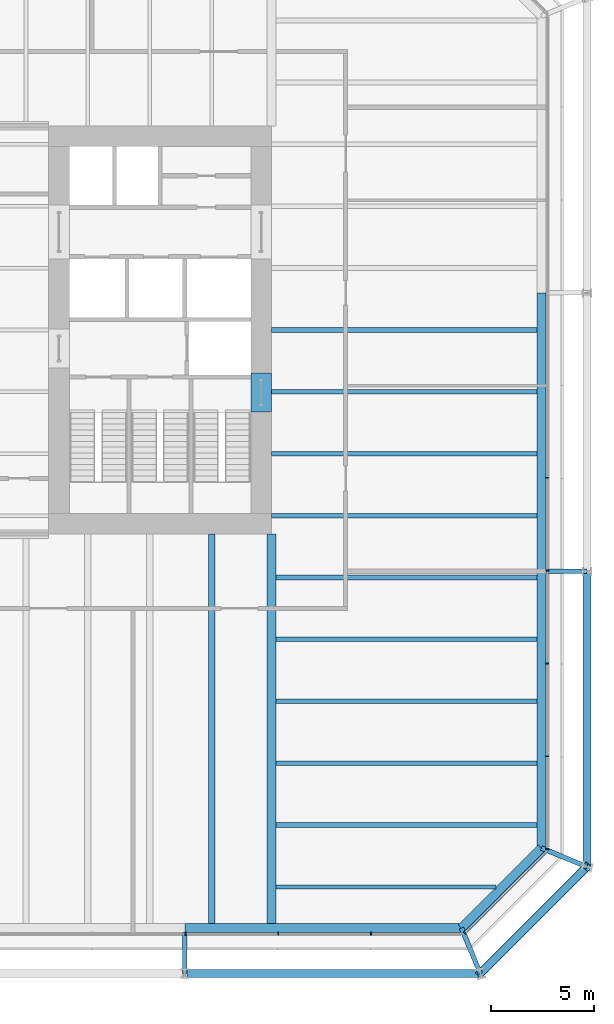
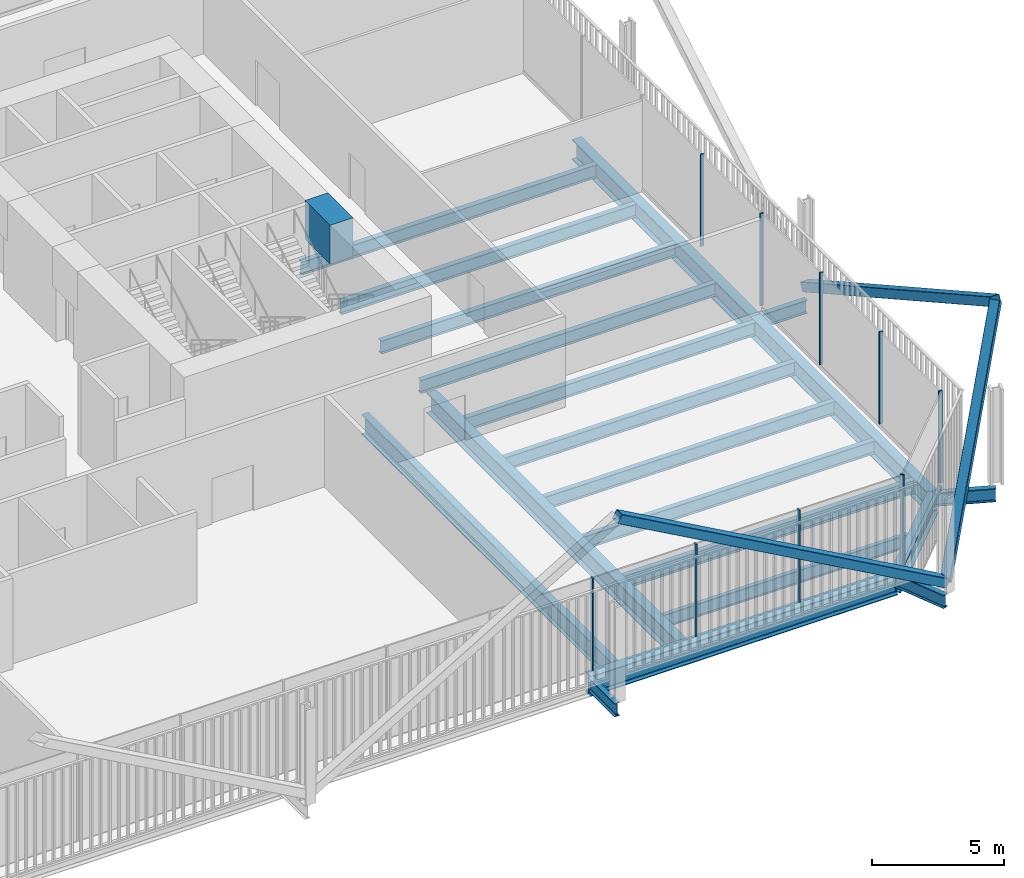
# One storey, part 8 of 21: 21 beams, 13 members, 3 elements without a shape of their own.
"""IFC4 building model written with IfcOpenShell, lengths in metres."""

from ifc_helpers import new_model, si_unit, direction, frame, origin, origin_2d, place, context, subcontext, project, spatial, rectangle, hollow_rectangle, i_section, extrude, material, layer, layer_set, material_profile, profile_set, type_object, element, aggregate, save


model = new_model("IFC4")

# Units and contexts
model_context = context("Model", 3, precision=1e-05, world=origin(), true_north=direction((0.0, 1.0)))
body_context = subcontext(model_context, "Body", "Model", "MODEL_VIEW")
ifc_project = project(units=[si_unit("LENGTHUNIT", "METRE"), si_unit("AREAUNIT", "SQUARE_METRE"), si_unit("VOLUMEUNIT", "CUBIC_METRE"), si_unit("PLANEANGLEUNIT", "RADIAN"), si_unit("MASSUNIT", "GRAM", prefix="KILO")], contexts=[model_context])

# Site, building, storey
site_placement = place(None, origin())
site = spatial("IfcSite", under=ifc_project, at=site_placement, CompositionType="ELEMENT")
building_placement = place(site_placement, origin())
building = spatial("IfcBuilding", under=site, at=building_placement, Name="Millrace Tower", CompositionType="ELEMENT")
storey_placement = place(building_placement, frame((0.0, 0.0, 95.199951171875)))
storey = spatial("IfcBuildingStorey", under=building, at=storey_placement, Name="L21", CompositionType="ELEMENT", Elevation=95.199951171875)

# Curtain wall, members
ifc_material_1 = material(Name="Aluminium and glass", Category="aluminium")
ifc_layer = layer(ifc_material_1, 0.14990234375)
ifc_layer_set = layer_set([ifc_layer], Name="Aluminium and glass")
curtain_wall_type = type_object("IfcCurtainWallType", Name="CW-3 telecom floor curtain wall", PredefinedType="NOTDEFINED", material=ifc_layer_set)
placement = place(storey_placement, origin())
curtain_wall_1 = element("IfcCurtainWall", 1, at=placement, inside=storey, type_object=curtain_wall_type, Name="Curtain wall B-F02 L21", PredefinedType="NOTDEFINED")
ifc_material_2 = material(Name="Aluminium", Category="aluminium")
ifc_material_profile_1 = material_profile(ifc_material_2, rectangle(XDim=0.06494140625, YDim=0.14990234375, at=origin_2d()))
ifc_profile_set_1 = profile_set([ifc_material_profile_1], Name="Aluminium")
member_type_1 = type_object("IfcMemberType", Name="CW-3 telecom floor curtain wall mullion", PredefinedType="MULLION", material=ifc_profile_set_1)
member_1_placement = place(storey_placement, frame((10.732421875, -29.27490234375, 0.150146484375), z_axis=(0.0, 0.0, 1.0), x_axis=(1.0, 0.0, 0.0)))
member_1 = element("IfcMember", 2, at=member_1_placement, type_object=member_type_1, Name="CW3 mullion B-F02.7", PredefinedType="MULLION", context=body_context, shape_type="SweptSolid", body=[
    extrude(rectangle(XDim=0.06494140625, YDim=0.14990234375, at=origin_2d()), origin(), (0.0, 0.0, 1.0), 4.25),
])
member_2_placement = place(storey_placement, frame((15.232421875, -29.27490234375, 0.150146484375), z_axis=(0.0, 0.0, 1.0), x_axis=(1.0, 0.0, 0.0)))
member_2 = element("IfcMember", 3, at=member_2_placement, type_object=member_type_1, Name="CW3 mullion B-F02.8", PredefinedType="MULLION", context=body_context, shape_type="SweptSolid", body=[
    extrude(rectangle(XDim=0.06494140625, YDim=0.14990234375, at=origin_2d()), origin(), (0.0, 0.0, 1.0), 4.25),
])
member_3_placement = place(storey_placement, frame((19.732421875, -29.27490234375, 0.150146484375), z_axis=(0.0, 0.0, 1.0), x_axis=(1.0, 0.0, 0.0)))
member_3 = element("IfcMember", 4, at=member_3_placement, type_object=member_type_1, Name="CW3 mullion B-F02.9", PredefinedType="MULLION", context=body_context, shape_type="SweptSolid", body=[
    extrude(rectangle(XDim=0.06494140625, YDim=0.14990234375, at=origin_2d()), origin(), (0.0, 0.0, 1.0), 4.25),
])
aggregate(curtain_wall_1, [member_1, member_2, member_3])

# Curtain wall, member
curtain_wall_2 = element("IfcCurtainWall", 5, at=placement, inside=storey, type_object=curtain_wall_type, Name="Curtain wall B-F03 L21", PredefinedType="NOTDEFINED")
member_4_placement = place(storey_placement, frame((24.276123046875, -29.22998046875, 0.150146484375), z_axis=(0.0, 0.0, 1.0), x_axis=(0.707106781187, 0.707106781187, 0.0)))
member_4 = element("IfcMember", 6, at=member_4_placement, type_object=member_type_1, Name="CW3 mullion B-F03.1", PredefinedType="MULLION", context=body_context, shape_type="SweptSolid", body=[
    extrude(rectangle(XDim=0.06494140625, YDim=0.14990234375, at=origin_2d()), origin(), (0.0, 0.0, 1.0), 4.25),
])

# Curtain wall, members
curtain_wall_3 = element("IfcCurtainWall", 7, at=placement, inside=storey, type_object=curtain_wall_type, Name="Curtain wall B-F04 L21", PredefinedType="NOTDEFINED")
member_5_placement = place(storey_placement, frame((28.27490234375, -25.16748046875, 0.150146484375), z_axis=(0.0, 0.0, 1.0), x_axis=(0.0, 1.0, 0.0)))
member_5 = element("IfcMember", 8, at=member_5_placement, type_object=member_type_1, Name="CW3 mullion B-F04.1", PredefinedType="MULLION", context=body_context, shape_type="SweptSolid", body=[
    extrude(rectangle(XDim=0.06494140625, YDim=0.14990234375, at=origin_2d()), origin(), (0.0, 0.0, 1.0), 4.25),
])
member_6_placement = place(storey_placement, frame((28.27490234375, -20.66748046875, 0.150146484375), z_axis=(0.0, 0.0, 1.0), x_axis=(0.0, 1.0, 0.0)))
member_6 = element("IfcMember", 9, at=member_6_placement, type_object=member_type_1, Name="CW3 mullion B-F04.2", PredefinedType="MULLION", context=body_context, shape_type="SweptSolid", body=[
    extrude(rectangle(XDim=0.06494140625, YDim=0.14990234375, at=origin_2d()), origin(), (0.0, 0.0, 1.0), 4.25),
])
member_7_placement = place(storey_placement, frame((28.27490234375, -16.16748046875, 0.150146484375), z_axis=(0.0, 0.0, 1.0), x_axis=(0.0, 1.0, 0.0)))
member_7 = element("IfcMember", 10, at=member_7_placement, type_object=member_type_1, Name="CW3 mullion B-F04.3", PredefinedType="MULLION", context=body_context, shape_type="SweptSolid", body=[
    extrude(rectangle(XDim=0.06494140625, YDim=0.14990234375, at=origin_2d()), origin(), (0.0, 0.0, 1.0), 4.25),
])
member_8_placement = place(storey_placement, frame((28.27490234375, -11.66748046875, 0.150146484375), z_axis=(0.0, 0.0, 1.0), x_axis=(0.0, 1.0, 0.0)))
member_8 = element("IfcMember", 11, at=member_8_placement, type_object=member_type_1, Name="CW3 mullion B-F04.4", PredefinedType="MULLION", context=body_context, shape_type="SweptSolid", body=[
    extrude(rectangle(XDim=0.06494140625, YDim=0.14990234375, at=origin_2d()), origin(), (0.0, 0.0, 1.0), 4.25),
])
member_9_placement = place(storey_placement, frame((28.27490234375, -7.16748046875, 0.150146484375), z_axis=(0.0, 0.0, 1.0), x_axis=(0.0, 1.0, 0.0)))
member_9 = element("IfcMember", 12, at=member_9_placement, type_object=member_type_1, Name="CW3 mullion B-F04.5", PredefinedType="MULLION", context=body_context, shape_type="SweptSolid", body=[
    extrude(rectangle(XDim=0.06494140625, YDim=0.14990234375, at=origin_2d()), origin(), (0.0, 0.0, 1.0), 4.25),
])
aggregate(curtain_wall_3, [member_5, member_6, member_7, member_8, member_9])

# Member
ifc_material_3 = material(Name="Aluminium", Category="aluminium")
ifc_material_profile_2 = material_profile(ifc_material_3, rectangle(XDim=0.14990234375, YDim=0.14990234375, at=origin_2d()))
ifc_profile_set_2 = profile_set([ifc_material_profile_2], Name="Aluminium")
member_type_2 = type_object("IfcMemberType", Name="CW-3 telecom floor curtain wall transom", PredefinedType="USERDEFINED", material=ifc_profile_set_2)
member_10_placement = place(storey_placement, frame((24.32373046875, -29.182373046875, 0.074951171875), z_axis=(0.707106781187, 0.707106781187, 0.0), x_axis=(-0.707106781187, 0.707106781187, 0.0)))
member_10 = element("IfcMember", 13, at=member_10_placement, type_object=member_type_2, Name="CW3 transom B-F03.1", ObjectType="TRANSOM", PredefinedType="USERDEFINED", context=body_context, shape_type="SweptSolid", body=[
    extrude(rectangle(XDim=0.14990234375, YDim=0.14990234375, at=origin_2d()), origin(), (0.0, 0.0, 1.0), 5.45703125),
])

aggregate(curtain_wall_2, [member_4, member_10])

# Beam
ifc_material_4 = material(Name="Concrete C80", Category="concrete")
ifc_material_profile_3 = material_profile(ifc_material_4, rectangle(XDim=1.0, YDim=1.800048828125, at=origin_2d()))
ifc_profile_set_3 = profile_set([ifc_material_profile_3], Name="Concrete C80")
beam_type_1 = type_object("IfcBeamType", Name="Coupling beam 1000 x 1800 Concrete C80, 1300 opening", PredefinedType="BEAM", material=ifc_profile_set_3)
beam_1_placement = place(storey_placement, frame((14.39990234375, -2.080078125, 3.300048828125), z_axis=(0.0, -1.0, 0.0), x_axis=(1.0, 0.0, 0.0)))
element("IfcBeam", 14, at=beam_1_placement, inside=storey, type_object=beam_type_1, Name="Coupling beam E L21", PredefinedType="BEAM", context=body_context, shape_type="SweptSolid", body=[
    extrude(rectangle(XDim=1.0, YDim=1.800048828125, at=origin_2d()), origin(), (0.0, 0.0, 1.0), 1.89990234375),
])

# Members
ifc_material_5 = material(Name="Steel ASTM A500 Grade C", Category="steel")
ifc_material_profile_4 = material_profile(ifc_material_5, hollow_rectangle(XDim=0.406494140625, YDim=0.406494140625, WallThickness=0.0126953125, InnerFilletRadius=0.00634765625, OuterFilletRadius=0.01904296875, at=origin_2d()))
ifc_profile_set_4 = profile_set([ifc_material_profile_4], Name="Steel ASTM A500 Grade C")
member_type_3 = type_object("IfcMemberType", Name="Exoskeleton brace HSS16x16x1/2", PredefinedType="BRACE", material=ifc_profile_set_4)
member_11_placement = place(storey_placement, frame((25.0283203125, -31.199951171875, 0.400146484375), z_axis=(-0.873125840427, 0.0, 0.487494888976), x_axis=(0.0, -1.0, 0.0)))
element("IfcMember", 15, at=member_11_placement, inside=storey, type_object=member_type_3, Name="BRC-B-L21-04", PredefinedType="BRACE", context=body_context, shape_type="SweptSolid", body=[
    extrude(hollow_rectangle(XDim=0.406494140625, YDim=0.406494140625, WallThickness=0.0126953125, InnerFilletRadius=0.00634765625, OuterFilletRadius=0.01904296875, at=origin_2d()), origin(), (0.0, 0.0, 1.0), 16.410400390625),
])
member_12_placement = place(storey_placement, frame((25.0283203125, -31.199951171875, 0.400146484375), z_axis=(0.477116280189, 0.477116280189, 0.738051563482), x_axis=(-0.707106781187, 0.707106781187, 0.0)))
element("IfcMember", 16, at=member_12_placement, inside=storey, type_object=member_type_3, Name="BRC-B-L21-05", PredefinedType="BRACE", context=body_context, shape_type="SweptSolid", body=[
    extrude(hollow_rectangle(XDim=0.406494140625, YDim=0.406494140625, WallThickness=0.0126953125, InnerFilletRadius=0.00634765625, OuterFilletRadius=0.01904296875, at=origin_2d()), origin(), (0.0, 0.0, 1.0), 10.83935546875),
])
member_13_placement = place(storey_placement, frame((30.199951171875, -11.699951171875, 0.400146484375), z_axis=(0.0, -0.873125840427, 0.487494888976), x_axis=(1.0, 0.0, 0.0)))
element("IfcMember", 17, at=member_13_placement, inside=storey, type_object=member_type_3, Name="BRC-B-L21-06", PredefinedType="BRACE", context=body_context, shape_type="SweptSolid", body=[
    extrude(hollow_rectangle(XDim=0.406494140625, YDim=0.406494140625, WallThickness=0.0126953125, InnerFilletRadius=0.00634765625, OuterFilletRadius=0.01904296875, at=origin_2d()), origin(), (0.0, 0.0, 1.0), 16.410400390625),
])

# Beams
ifc_material_6 = material(Name="Steel ASTM A992 Grade 50", Category="steel")
ifc_material_profile_5 = material_profile(ifc_material_6, i_section(OverallWidth=0.1787109375, OverallDepth=0.60205078125, WebThickness=0.010986328125, FlangeThickness=0.014892578125, FilletRadius=0.0126953125, at=origin_2d()))
ifc_profile_set_5 = profile_set([ifc_material_profile_5], Name="Steel ASTM A992 Grade 50")
beam_type_2 = type_object("IfcBeamType", Name="Floor beam W24x62", PredefinedType="JOIST", material=ifc_profile_set_5)
beam_2_placement = place(storey_placement, frame((15.11083984375, -27.0, -0.5009765625), z_axis=(1.0, 0.0, 0.0), x_axis=(0.0, 1.0, 0.0)))
element("IfcBeam", 18, at=beam_2_placement, inside=storey, type_object=beam_type_2, Name="BM-B-L21-S1-S002", PredefinedType="JOIST", context=body_context, shape_type="SweptSolid", body=[
    extrude(i_section(OverallWidth=0.1787109375, OverallDepth=0.60205078125, WebThickness=0.010986328125, FlangeThickness=0.014892578125, FilletRadius=0.0126953125, at=origin_2d()), origin(), (0.0, 0.0, 1.0), 10.67236328125),
])
ifc_material_7 = material(Name="Steel ASTM A992 Grade 50", Category="steel")
ifc_material_profile_6 = material_profile(ifc_material_7, i_section(OverallWidth=0.228271484375, OverallDepth=0.607177734375, WebThickness=0.01123046875, FlangeThickness=0.017333984375, FilletRadius=0.0126953125, at=origin_2d()))
ifc_profile_set_6 = profile_set([ifc_material_profile_6], Name="Steel ASTM A992 Grade 50")
beam_type_3 = type_object("IfcBeamType", Name="Floor beam W24x76", PredefinedType="JOIST", material=ifc_profile_set_6)
for number, where, z_axis, x_axis, name in (
    (19, (15.11083984375, -24.0, -0.50341796875), (1.0, 0.0, 0.0), (0.0, 1.0, 0.0), "BM-B-L21-S1-S004"),
    (20, (15.11083984375, -21.0, -0.50341796875), (1.0, 0.0, 0.0), (0.0, 1.0, 0.0), "BM-B-L21-S1-S006"),
    (21, (15.11083984375, -18.0, -0.50341796875), (1.0, 0.0, 0.0), (0.0, 1.0, 0.0), "BM-B-L21-S1-S008"),
    (22, (15.11083984375, -15.0, -0.50341796875), (1.0, 0.0, 0.0), (0.0, 1.0, 0.0), "BM-B-L21-S1-S010"),
    (23, (15.11083984375, -12.0, -0.50341796875), (1.0, 0.0, 0.0), (0.0, 1.0, 0.0), "BM-B-L21-S1-S012"),
):
    element("IfcBeam", number, at=place(storey_placement, frame(where, z_axis=z_axis, x_axis=x_axis)), inside=storey, type_object=beam_type_3, Name=name, PredefinedType="JOIST", context=body_context, shape_type="SweptSolid", body=[
        extrude(i_section(OverallWidth=0.228271484375, OverallDepth=0.607177734375, WebThickness=0.01123046875, FlangeThickness=0.017333984375, FilletRadius=0.0126953125, at=origin_2d()), origin(), (0.0, 0.0, 1.0), 12.670166015625),
    ])
for number, where, z_axis, x_axis, name in (
    (24, (14.89990234375, -9.0, -0.50341796875), (1.0, 0.0, 0.0), (0.0, 1.0, 0.0), "BM-B-L21-S1-S015"),
    (25, (14.89990234375, -6.0, -0.50341796875), (1.0, 0.0, 0.0), (0.0, 1.0, 0.0), "BM-B-L21-S1-S018"),
    (26, (14.89990234375, -3.0, -0.50341796875), (1.0, 0.0, 0.0), (0.0, 1.0, 0.0), "BM-B-L21-S1-S021"),
    (27, (14.89990234375, 0.0, -0.50341796875), (1.0, 0.0, 0.0), (0.0, 1.0, 0.0), "BM-B-L21-S1-S024"),
):
    element("IfcBeam", number, at=place(storey_placement, frame(where, z_axis=z_axis, x_axis=x_axis)), inside=storey, type_object=beam_type_3, Name=name, PredefinedType="JOIST", context=body_context, shape_type="SweptSolid", body=[
        extrude(i_section(OverallWidth=0.228271484375, OverallDepth=0.607177734375, WebThickness=0.01123046875, FlangeThickness=0.017333984375, FilletRadius=0.0126953125, at=origin_2d()), origin(), (0.0, 0.0, 1.0), 12.881103515625),
    ])
ifc_material_8 = material(Name="Steel ASTM A992 Grade 50", Category="steel")
ifc_material_profile_7 = material_profile(ifc_material_8, i_section(OverallWidth=0.307373046875, OverallDepth=0.927001953125, WebThickness=0.01953125, FlangeThickness=0.031982421875, FilletRadius=0.01904296875, at=origin_2d()))
ifc_profile_set_7 = profile_set([ifc_material_profile_7], Name="Steel ASTM A992 Grade 50")
beam_type_4 = type_object("IfcBeamType", Name="Floor beam W36x194", PredefinedType="JOIST", material=ifc_profile_set_7)
beam_3_placement = place(storey_placement, frame((12.0, -28.781005859375, -0.66357421875), z_axis=(0.0, 1.0, 0.0), x_axis=(-1.0, 0.0, 0.0)))
element("IfcBeam", 28, at=beam_3_placement, inside=storey, type_object=beam_type_4, Name="BM-B-L21-S1-S057", PredefinedType="JOIST", context=body_context, shape_type="SweptSolid", body=[
    extrude(i_section(OverallWidth=0.307373046875, OverallDepth=0.927001953125, WebThickness=0.01953125, FlangeThickness=0.031982421875, FilletRadius=0.01904296875, at=origin_2d()), origin(), (0.0, 0.0, 1.0), 18.881103515625),
])
ifc_material_9 = material(Name="Steel ASTM A992 Grade 50", Category="steel")
ifc_material_profile_8 = material_profile(ifc_material_9, i_section(OverallWidth=0.424072265625, OverallDepth=0.947509765625, WebThickness=0.02392578125, FlangeThickness=0.042724609375, FilletRadius=0.024169921875, at=origin_2d()))
ifc_profile_set_8 = profile_set([ifc_material_profile_8], Name="Steel ASTM A992 Grade 50")
beam_type_5 = type_object("IfcBeamType", Name="Girder medium span W36x302", PredefinedType="BEAM", material=ifc_profile_set_8)
beam_4_placement = place(storey_placement, frame((14.89990234375, -28.781005859375, -0.673583984375), z_axis=(0.0, 1.0, 0.0), x_axis=(-1.0, 0.0, 0.0)))
element("IfcBeam", 29, at=beam_4_placement, inside=storey, type_object=beam_type_5, Name="BM-B-L21-S1-G061", PredefinedType="BEAM", context=body_context, shape_type="SweptSolid", body=[
    extrude(i_section(OverallWidth=0.424072265625, OverallDepth=0.947509765625, WebThickness=0.02392578125, FlangeThickness=0.042724609375, FilletRadius=0.024169921875, at=origin_2d()), origin(), (0.0, 0.0, 1.0), 18.881103515625),
])
ifc_material_10 = material(Name="Steel ASTM A992 Grade 50", Category="steel")
ifc_material_profile_9 = material_profile(ifc_material_10, i_section(OverallWidth=0.23046875, OverallDepth=0.6171875, WebThickness=0.01318359375, FlangeThickness=0.022216796875, FilletRadius=0.012939453125, at=origin_2d()))
ifc_profile_set_9 = profile_set([ifc_material_profile_9], Name="Steel ASTM A992 Grade 50")
beam_type_6 = type_object("IfcBeamType", Name="Link beam W24x94", PredefinedType="BEAM", material=ifc_profile_set_9)
beam_5_placement = place(storey_placement, frame((28.199951171875, -11.699951171875, -0.508544921875), z_axis=(1.0, 0.0, 0.0), x_axis=(0.0, 1.0, 0.0)))
element("IfcBeam", 30, at=beam_5_placement, inside=storey, type_object=beam_type_6, Name="LNK-B-L21-S1-11", PredefinedType="BEAM", context=body_context, shape_type="SweptSolid", body=[
    extrude(i_section(OverallWidth=0.23046875, OverallDepth=0.6171875, WebThickness=0.01318359375, FlangeThickness=0.022216796875, FilletRadius=0.012939453125, at=origin_2d()), origin(), (0.0, 0.0, 1.0), 2.0),
])
for number, where, z_axis, x_axis, name in (
    (31, (27.990478515625, -25.11328125, -0.508544921875), (0.923902368833, -0.382628295954, 0.0), (0.382628295954, 0.923902368833, 0.0), "LNK-B-L21-S1-12"),
    (32, (24.11328125, -28.990478515625, -0.508544921875), (0.382628295954, -0.923902368833, 0.0), (0.923902368833, 0.382628295954, 0.0), "LNK-B-L21-S1-13"),
):
    element("IfcBeam", number, at=place(storey_placement, frame(where, z_axis=z_axis, x_axis=x_axis)), inside=storey, type_object=beam_type_6, Name=name, PredefinedType="BEAM", context=body_context, shape_type="SweptSolid", body=[
        extrude(i_section(OverallWidth=0.23046875, OverallDepth=0.6171875, WebThickness=0.01318359375, FlangeThickness=0.022216796875, FilletRadius=0.012939453125, at=origin_2d()), origin(), (0.0, 0.0, 1.0), 2.391357421875),
    ])
beam_6_placement = place(storey_placement, frame((10.699951171875, -29.199951171875, -0.508544921875), z_axis=(0.0, -1.0, 0.0), x_axis=(1.0, 0.0, 0.0)))
element("IfcBeam", 33, at=beam_6_placement, inside=storey, type_object=beam_type_6, Name="LNK-B-L21-S1-14", PredefinedType="BEAM", context=body_context, shape_type="SweptSolid", body=[
    extrude(i_section(OverallWidth=0.23046875, OverallDepth=0.6171875, WebThickness=0.01318359375, FlangeThickness=0.022216796875, FilletRadius=0.012939453125, at=origin_2d()), origin(), (0.0, 0.0, 1.0), 2.0),
])
ifc_material_11 = material(Name="Steel ASTM A992 Grade 50", Category="steel")
ifc_material_profile_10 = material_profile(ifc_material_11, i_section(OverallWidth=0.419189453125, OverallDepth=0.927001953125, WebThickness=0.019287109375, FlangeThickness=0.031982421875, FilletRadius=0.024169921875, at=origin_2d()))
ifc_profile_set_10 = profile_set([ifc_material_profile_10], Name="Steel ASTM A992 Grade 50")
beam_type_7 = type_object("IfcBeamType", Name="Ring beam medium span W36x231", PredefinedType="SPANDREL", material=ifc_profile_set_10)
beam_7_placement = place(storey_placement, frame((27.990478515625, 1.800048828125, -0.66357421875), z_axis=(0.0, -1.0, 0.0), x_axis=(1.0, 0.0, 0.0)))
element("IfcBeam", 34, at=beam_7_placement, inside=storey, type_object=beam_type_7, Name="RNG-B-L21-S1-10", PredefinedType="SPANDREL", context=body_context, shape_type="SweptSolid", body=[
    extrude(i_section(OverallWidth=0.419189453125, OverallDepth=0.927001953125, WebThickness=0.019287109375, FlangeThickness=0.031982421875, FilletRadius=0.024169921875, at=origin_2d()), origin(), (0.0, 0.0, 1.0), 13.5),
])
for number, where, z_axis, x_axis, name in (
    (35, (27.990478515625, -11.699951171875, -0.66357421875), (0.0, -1.0, 0.0), (1.0, 0.0, 0.0), "RNG-B-L21-S1-11"),
    (36, (24.11328125, -28.990478515625, -0.66357421875), (-1.0, 0.0, 0.0), (0.0, -1.0, 0.0), "RNG-B-L21-S1-13"),
):
    element("IfcBeam", number, at=place(storey_placement, frame(where, z_axis=z_axis, x_axis=x_axis)), inside=storey, type_object=beam_type_7, Name=name, PredefinedType="SPANDREL", context=body_context, shape_type="SweptSolid", body=[
        extrude(i_section(OverallWidth=0.419189453125, OverallDepth=0.927001953125, WebThickness=0.019287109375, FlangeThickness=0.031982421875, FilletRadius=0.024169921875, at=origin_2d()), origin(), (0.0, 0.0, 1.0), 13.413330078125),
    ])
ifc_material_12 = material(Name="Steel ASTM A992 Grade 50", Category="steel")
ifc_material_profile_11 = material_profile(ifc_material_12, i_section(OverallWidth=0.419189453125, OverallDepth=0.927001953125, WebThickness=0.019287109375, FlangeThickness=0.031982421875, FilletRadius=0.024169921875, at=origin_2d()))
ifc_profile_set_11 = profile_set([ifc_material_profile_11], Name="Steel ASTM A992 Grade 50")
beam_type_8 = type_object("IfcBeamType", Name="Ring beam short span W36x231", PredefinedType="SPANDREL", material=ifc_profile_set_11)
beam_8_placement = place(storey_placement, frame((27.990478515625, -25.11328125, -0.66357421875), z_axis=(-0.707106781187, -0.707106781187, 0.0), x_axis=(0.707106781187, -0.707106781187, 0.0)))
element("IfcBeam", 37, at=beam_8_placement, inside=storey, type_object=beam_type_8, Name="RNG-B-L21-S1-12", PredefinedType="SPANDREL", context=body_context, shape_type="SweptSolid", body=[
    extrude(i_section(OverallWidth=0.419189453125, OverallDepth=0.927001953125, WebThickness=0.019287109375, FlangeThickness=0.031982421875, FilletRadius=0.024169921875, at=origin_2d()), origin(), (0.0, 0.0, 1.0), 5.483154296875),
])

save(model, "model.ifc")
